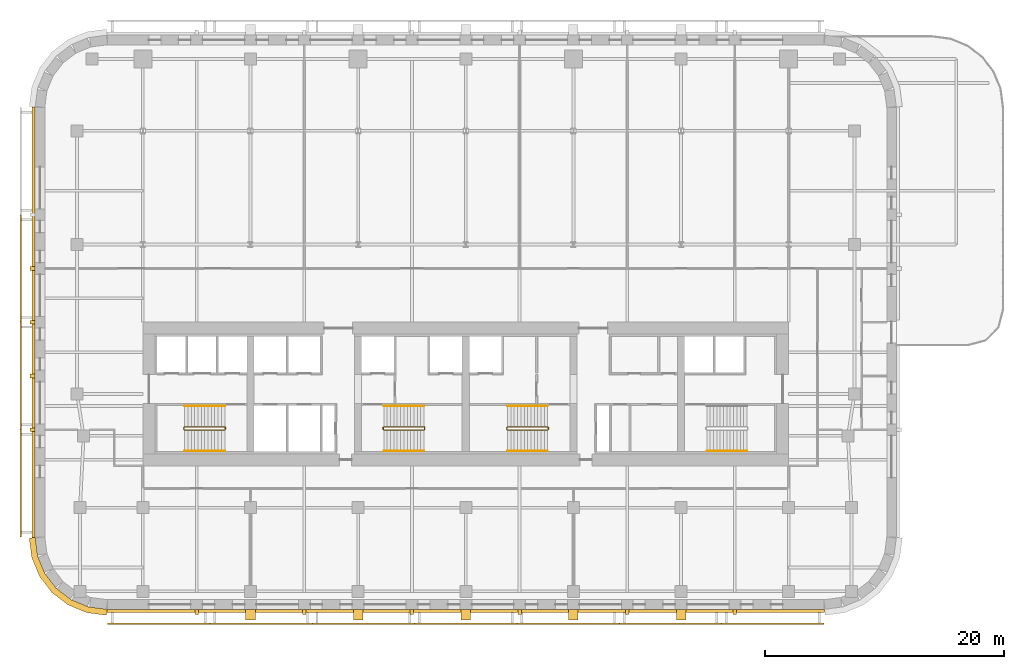
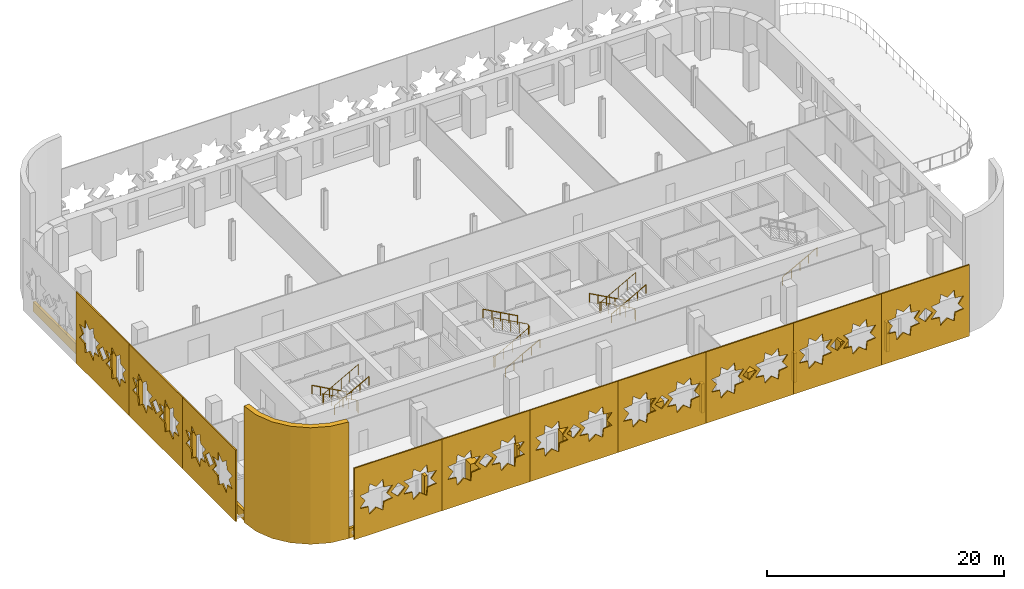
# One storey, part 9 of 11: 28 coverings, 10 railings.
"""IFC4 building model written with IfcOpenShell, lengths in metres."""

from ifc_helpers import new_model, si_unit, direction, frame, origin, origin_2d, place, context, subcontext, project, spatial, polyline, circle, outline, extrude, material, layer, layer_set, type_object, element, save


model = new_model("IFC4")

# Units and contexts
model_context = context("Model", 3, precision=1e-05, world=origin(), true_north=direction((0.0, 1.0)))
body_context = subcontext(model_context, "Body", "Model", "MODEL_VIEW")
ifc_project = project(units=[si_unit("LENGTHUNIT", "METRE"), si_unit("AREAUNIT", "SQUARE_METRE"), si_unit("VOLUMEUNIT", "CUBIC_METRE"), si_unit("PLANEANGLEUNIT", "RADIAN"), si_unit("MASSUNIT", "GRAM", prefix="KILO")], contexts=[model_context])

# Site, building, storey
site_placement = place(None, origin())
site = spatial("IfcSite", under=ifc_project, at=site_placement, CompositionType="ELEMENT")
building_placement = place(site_placement, origin())
building = spatial("IfcBuilding", under=site, at=building_placement, Name="Zellij Exchange Tower", CompositionType="ELEMENT")
storey_placement = place(building_placement, frame((0.0, 0.0, 144.5)))
storey = spatial("IfcBuildingStorey", under=building, at=storey_placement, Name="L32", CompositionType="ELEMENT", Elevation=144.5)

# Railings
ifc_material_1 = material(Name="Stainless steel", Category="steel")
railing_type_1 = type_object("IfcRailingType", Name="CORE-RG stair guard", PredefinedType="GUARDRAIL", material=ifc_material_1)
railing_1_placement = place(storey_placement, frame((-20.10009765625, -10.800048828125, 0.0)))
element("IfcRailing", 1, at=railing_1_placement, inside=storey, type_object=railing_type_1, Name="ST1 stair guard L32", PredefinedType="GUARDRAIL", context=body_context, shape_type="SweptSolid", body=[
    extrude(circle(Radius=0.02392578125, at=origin_2d()), frame((0.0, 0.0, 1.076171875), z_axis=(0.0, -1.0, 0.0), x_axis=(1.0, 0.0, 0.0)), (0.0, 0.0, 1.0), 0.14990234375),
    extrude(circle(Radius=0.02392578125, at=origin_2d()), frame((0.0, -0.14990234375, 1.076171875), z_axis=(-0.193691321961, 0.777613689637, 0.598164376644), x_axis=(-0.970351222016, -0.241699205484, 0.0)), (0.0, 0.0, 1.0), 0.257080078125),
    extrude(circle(Radius=0.02392578125, at=origin_2d()), frame((-0.0498046875, 0.050048828125, 1.22998046875), z_axis=(-0.876421534553, 0.0, 0.481544695509), x_axis=(0.0, -1.0, 0.0)), (0.0, 0.0, 1.0), 3.833984375),
    extrude(circle(Radius=0.02392578125, at=origin_2d()), frame((-3.409912109375, 0.050048828125, 3.076171875), z_axis=(-0.707106781187, -0.707106781187, 0.0), x_axis=(0.707106781187, -0.707106781187, 0.0)), (0.0, 0.0, 1.0), 0.07080078125),
    extrude(circle(Radius=0.02392578125, at=origin_2d()), frame((-3.4599609375, 0.0, 3.076171875), z_axis=(0.0, -1.0, 0.0), x_axis=(1.0, 0.0, 0.0)), (0.0, 0.0, 1.0), 0.14990234375),
    extrude(circle(Radius=0.02392578125, at=origin_2d()), frame((-3.4599609375, -0.14990234375, 3.076171875), z_axis=(0.295599637079, -0.295599637079, 0.908428152975), x_axis=(0.707106781187, 0.707106781187, 0.0)), (0.0, 0.0, 1.0), 0.16943359375),
    extrude(circle(Radius=0.02392578125, at=origin_2d()), frame((-3.409912109375, -0.199951171875, 3.22998046875), z_axis=(0.876421534553, 0.0, 0.481544695509), x_axis=(0.0, 1.0, 0.0)), (0.0, 0.0, 1.0), 3.833984375),
    extrude(circle(Radius=0.02099609375, at=origin_2d()), origin(), (0.0, 0.0, 1.0), 1.052001953125),
    extrude(circle(Radius=0.02099609375, at=origin_2d()), frame((0.0, -0.14990234375, 0.0)), (0.0, 0.0, 1.0), 1.052001953125),
    extrude(circle(Radius=0.02099609375, at=origin_2d()), frame((-0.0498046875, 0.050048828125, 0.15380859375)), (0.0, 0.0, 1.0), 1.052001953125),
    extrude(circle(Radius=0.02099609375, at=origin_2d()), frame((-0.889892578125, 0.050048828125, 0.615234375)), (0.0, 0.0, 1.0), 1.052001953125),
    extrude(circle(Radius=0.02099609375, at=origin_2d()), frame((-1.72998046875, 0.050048828125, 1.076904296875)), (0.0, 0.0, 1.0), 1.052001953125),
    extrude(circle(Radius=0.02099609375, at=origin_2d()), frame((-2.56982421875, 0.050048828125, 1.53857421875)), (0.0, 0.0, 1.0), 1.052001953125),
    extrude(circle(Radius=0.02099609375, at=origin_2d()), frame((-3.409912109375, 0.050048828125, 2.0)), (0.0, 0.0, 1.0), 1.052001953125),
    extrude(circle(Radius=0.02099609375, at=origin_2d()), frame((-3.4599609375, 0.0, 2.0)), (0.0, 0.0, 1.0), 1.052001953125),
    extrude(circle(Radius=0.02099609375, at=origin_2d()), frame((-3.4599609375, -0.14990234375, 2.0)), (0.0, 0.0, 1.0), 1.052001953125),
    extrude(circle(Radius=0.02099609375, at=origin_2d()), frame((-3.409912109375, -0.199951171875, 2.15380859375)), (0.0, 0.0, 1.0), 1.052001953125),
    extrude(circle(Radius=0.02099609375, at=origin_2d()), frame((-2.56982421875, -0.199951171875, 2.615234375)), (0.0, 0.0, 1.0), 1.052001953125),
    extrude(circle(Radius=0.02099609375, at=origin_2d()), frame((-1.72998046875, -0.199951171875, 3.076904296875)), (0.0, 0.0, 1.0), 1.052001953125),
    extrude(circle(Radius=0.02099609375, at=origin_2d()), frame((-0.889892578125, -0.199951171875, 3.53857421875)), (0.0, 0.0, 1.0), 1.052001953125),
    extrude(circle(Radius=0.02099609375, at=origin_2d()), frame((-0.0498046875, -0.199951171875, 4.0)), (0.0, 0.0, 1.0), 1.052001953125),
])
railing_2_placement = place(storey_placement, frame((-6.89990234375, -10.949951171875, 0.0)))
element("IfcRailing", 2, at=railing_2_placement, inside=storey, type_object=railing_type_1, Name="ST2 stair guard L32", PredefinedType="GUARDRAIL", context=body_context, shape_type="SweptSolid", body=[
    extrude(circle(Radius=0.02392578125, at=origin_2d()), frame((0.0, 0.0, 1.076171875), z_axis=(0.0, 1.0, 0.0), x_axis=(-1.0, 0.0, 0.0)), (0.0, 0.0, 1.0), 0.14990234375),
    extrude(circle(Radius=0.02392578125, at=origin_2d()), frame((0.0, 0.14990234375, 1.076171875), z_axis=(0.193691321961, -0.777613689637, 0.598164376644), x_axis=(0.970351222016, 0.241699205484, 0.0)), (0.0, 0.0, 1.0), 0.257080078125),
    extrude(circle(Radius=0.02392578125, at=origin_2d()), frame((0.0498046875, -0.050048828125, 1.22998046875), z_axis=(0.876421534553, 0.0, 0.481544695509), x_axis=(0.0, 1.0, 0.0)), (0.0, 0.0, 1.0), 3.833984375),
    extrude(circle(Radius=0.02392578125, at=origin_2d()), frame((3.409912109375, -0.050048828125, 3.076171875), z_axis=(0.707106781187, 0.707106781187, 0.0), x_axis=(-0.707106781187, 0.707106781187, 0.0)), (0.0, 0.0, 1.0), 0.07080078125),
    extrude(circle(Radius=0.02392578125, at=origin_2d()), frame((3.4599609375, 0.0, 3.076171875), z_axis=(0.0, 1.0, 0.0), x_axis=(-1.0, 0.0, 0.0)), (0.0, 0.0, 1.0), 0.14990234375),
    extrude(circle(Radius=0.02392578125, at=origin_2d()), frame((3.4599609375, 0.14990234375, 3.076171875), z_axis=(-0.295599637079, 0.295599637079, 0.908428152975), x_axis=(-0.707106781187, -0.707106781187, 0.0)), (0.0, 0.0, 1.0), 0.16943359375),
    extrude(circle(Radius=0.02392578125, at=origin_2d()), frame((3.409912109375, 0.199951171875, 3.22998046875), z_axis=(-0.876421534553, 0.0, 0.481544695509), x_axis=(0.0, -1.0, 0.0)), (0.0, 0.0, 1.0), 3.833984375),
    extrude(circle(Radius=0.02099609375, at=origin_2d()), origin(), (0.0, 0.0, 1.0), 1.052001953125),
    extrude(circle(Radius=0.02099609375, at=origin_2d()), frame((0.0, 0.14990234375, 0.0)), (0.0, 0.0, 1.0), 1.052001953125),
    extrude(circle(Radius=0.02099609375, at=origin_2d()), frame((0.0498046875, -0.050048828125, 0.15380859375)), (0.0, 0.0, 1.0), 1.052001953125),
    extrude(circle(Radius=0.02099609375, at=origin_2d()), frame((0.889892578125, -0.050048828125, 0.615234375)), (0.0, 0.0, 1.0), 1.052001953125),
    extrude(circle(Radius=0.02099609375, at=origin_2d()), frame((1.72998046875, -0.050048828125, 1.076904296875)), (0.0, 0.0, 1.0), 1.052001953125),
    extrude(circle(Radius=0.02099609375, at=origin_2d()), frame((2.56982421875, -0.050048828125, 1.53857421875)), (0.0, 0.0, 1.0), 1.052001953125),
    extrude(circle(Radius=0.02099609375, at=origin_2d()), frame((3.409912109375, -0.050048828125, 2.0)), (0.0, 0.0, 1.0), 1.052001953125),
    extrude(circle(Radius=0.02099609375, at=origin_2d()), frame((3.4599609375, 0.0, 2.0)), (0.0, 0.0, 1.0), 1.052001953125),
    extrude(circle(Radius=0.02099609375, at=origin_2d()), frame((3.4599609375, 0.14990234375, 2.0)), (0.0, 0.0, 1.0), 1.052001953125),
    extrude(circle(Radius=0.02099609375, at=origin_2d()), frame((3.409912109375, 0.199951171875, 2.15380859375)), (0.0, 0.0, 1.0), 1.052001953125),
    extrude(circle(Radius=0.02099609375, at=origin_2d()), frame((2.56982421875, 0.199951171875, 2.615234375)), (0.0, 0.0, 1.0), 1.052001953125),
    extrude(circle(Radius=0.02099609375, at=origin_2d()), frame((1.72998046875, 0.199951171875, 3.076904296875)), (0.0, 0.0, 1.0), 1.052001953125),
    extrude(circle(Radius=0.02099609375, at=origin_2d()), frame((0.889892578125, 0.199951171875, 3.53857421875)), (0.0, 0.0, 1.0), 1.052001953125),
    extrude(circle(Radius=0.02099609375, at=origin_2d()), frame((0.0498046875, 0.199951171875, 4.0)), (0.0, 0.0, 1.0), 1.052001953125),
])
railing_3_placement = place(storey_placement, frame((6.89990234375, -10.800048828125, 0.0)))
element("IfcRailing", 3, at=railing_3_placement, inside=storey, type_object=railing_type_1, Name="ST3 stair guard L32", PredefinedType="GUARDRAIL", context=body_context, shape_type="SweptSolid", body=[
    extrude(circle(Radius=0.02392578125, at=origin_2d()), frame((0.0, 0.0, 1.076171875), z_axis=(0.0, -1.0, 0.0), x_axis=(1.0, 0.0, 0.0)), (0.0, 0.0, 1.0), 0.14990234375),
    extrude(circle(Radius=0.02392578125, at=origin_2d()), frame((0.0, -0.14990234375, 1.076171875), z_axis=(-0.193691321961, 0.777613689637, 0.598164376644), x_axis=(-0.970351222016, -0.241699205484, 0.0)), (0.0, 0.0, 1.0), 0.257080078125),
    extrude(circle(Radius=0.02392578125, at=origin_2d()), frame((-0.0498046875, 0.050048828125, 1.22998046875), z_axis=(-0.876421534553, 0.0, 0.481544695509), x_axis=(0.0, -1.0, 0.0)), (0.0, 0.0, 1.0), 3.833984375),
    extrude(circle(Radius=0.02392578125, at=origin_2d()), frame((-3.409912109375, 0.050048828125, 3.076171875), z_axis=(-0.707106781187, -0.707106781187, 0.0), x_axis=(0.707106781187, -0.707106781187, 0.0)), (0.0, 0.0, 1.0), 0.07080078125),
    extrude(circle(Radius=0.02392578125, at=origin_2d()), frame((-3.4599609375, 0.0, 3.076171875), z_axis=(0.0, -1.0, 0.0), x_axis=(1.0, 0.0, 0.0)), (0.0, 0.0, 1.0), 0.14990234375),
    extrude(circle(Radius=0.02392578125, at=origin_2d()), frame((-3.4599609375, -0.14990234375, 3.076171875), z_axis=(0.295599637079, -0.295599637079, 0.908428152975), x_axis=(0.707106781187, 0.707106781187, 0.0)), (0.0, 0.0, 1.0), 0.16943359375),
    extrude(circle(Radius=0.02392578125, at=origin_2d()), frame((-3.409912109375, -0.199951171875, 3.22998046875), z_axis=(0.876421534553, 0.0, 0.481544695509), x_axis=(0.0, 1.0, 0.0)), (0.0, 0.0, 1.0), 3.833984375),
    extrude(circle(Radius=0.02099609375, at=origin_2d()), origin(), (0.0, 0.0, 1.0), 1.052001953125),
    extrude(circle(Radius=0.02099609375, at=origin_2d()), frame((0.0, -0.14990234375, 0.0)), (0.0, 0.0, 1.0), 1.052001953125),
    extrude(circle(Radius=0.02099609375, at=origin_2d()), frame((-0.0498046875, 0.050048828125, 0.15380859375)), (0.0, 0.0, 1.0), 1.052001953125),
    extrude(circle(Radius=0.02099609375, at=origin_2d()), frame((-0.889892578125, 0.050048828125, 0.615234375)), (0.0, 0.0, 1.0), 1.052001953125),
    extrude(circle(Radius=0.02099609375, at=origin_2d()), frame((-1.72998046875, 0.050048828125, 1.076904296875)), (0.0, 0.0, 1.0), 1.052001953125),
    extrude(circle(Radius=0.02099609375, at=origin_2d()), frame((-2.56982421875, 0.050048828125, 1.53857421875)), (0.0, 0.0, 1.0), 1.052001953125),
    extrude(circle(Radius=0.02099609375, at=origin_2d()), frame((-3.409912109375, 0.050048828125, 2.0)), (0.0, 0.0, 1.0), 1.052001953125),
    extrude(circle(Radius=0.02099609375, at=origin_2d()), frame((-3.4599609375, 0.0, 2.0)), (0.0, 0.0, 1.0), 1.052001953125),
    extrude(circle(Radius=0.02099609375, at=origin_2d()), frame((-3.4599609375, -0.14990234375, 2.0)), (0.0, 0.0, 1.0), 1.052001953125),
    extrude(circle(Radius=0.02099609375, at=origin_2d()), frame((-3.409912109375, -0.199951171875, 2.15380859375)), (0.0, 0.0, 1.0), 1.052001953125),
    extrude(circle(Radius=0.02099609375, at=origin_2d()), frame((-2.56982421875, -0.199951171875, 2.615234375)), (0.0, 0.0, 1.0), 1.052001953125),
    extrude(circle(Radius=0.02099609375, at=origin_2d()), frame((-1.72998046875, -0.199951171875, 3.076904296875)), (0.0, 0.0, 1.0), 1.052001953125),
    extrude(circle(Radius=0.02099609375, at=origin_2d()), frame((-0.889892578125, -0.199951171875, 3.53857421875)), (0.0, 0.0, 1.0), 1.052001953125),
    extrude(circle(Radius=0.02099609375, at=origin_2d()), frame((-0.0498046875, -0.199951171875, 4.0)), (0.0, 0.0, 1.0), 1.052001953125),
])
railing_type_2 = type_object("IfcRailingType", Name="CORE-RH stair handrail", PredefinedType="HANDRAIL", material=ifc_material_1)
railing_4_placement = place(storey_placement, frame((-20.14990234375, -9.0, 0.15380859375)))
element("IfcRailing", 4, at=railing_4_placement, inside=storey, type_object=railing_type_2, Name="ST1 stair handrail L32", PredefinedType="HANDRAIL", context=body_context, shape_type="SweptSolid", body=[
    extrude(circle(Radius=0.02392578125, at=origin_2d()), frame((0.0, 0.0, 0.8759765625), z_axis=(-0.876421534553, 0.0, 0.481544695509), x_axis=(0.0, -1.0, 0.0)), (0.0, 0.0, 1.0), 3.833984375),
    extrude(circle(Radius=0.02099609375, at=origin_2d()), origin(), (0.0, 0.0, 1.0), 0.851806640625),
    extrude(circle(Radius=0.02099609375, at=origin_2d()), frame((-0.840087890625, 0.0, 0.46142578125)), (0.0, 0.0, 1.0), 0.851806640625),
    extrude(circle(Radius=0.02099609375, at=origin_2d()), frame((-1.68017578125, 0.0, 0.923095703125)), (0.0, 0.0, 1.0), 0.851806640625),
    extrude(circle(Radius=0.02099609375, at=origin_2d()), frame((-2.52001953125, 0.0, 1.384765625)), (0.0, 0.0, 1.0), 0.851806640625),
    extrude(circle(Radius=0.02099609375, at=origin_2d()), frame((-3.360107421875, 0.0, 1.84619140625)), (0.0, 0.0, 1.0), 0.851806640625),
])
for number, where, name in (
    (5, (-23.510009765625, -12.75, 2.15380859375), "ST1 stair handrail L32"),
    (6, (-6.85009765625, -12.75, 0.15380859375), "ST2 stair handrail L32"),
):
    element("IfcRailing", number, at=place(storey_placement, frame(where)), inside=storey, type_object=railing_type_2, Name=name, PredefinedType="HANDRAIL", context=body_context, shape_type="SweptSolid", body=[
        extrude(circle(Radius=0.02392578125, at=origin_2d()), frame((0.0, 0.0, 0.8759765625), z_axis=(0.876421534553, 0.0, 0.481544695509), x_axis=(0.0, 1.0, 0.0)), (0.0, 0.0, 1.0), 3.833984375),
        extrude(circle(Radius=0.02099609375, at=origin_2d()), origin(), (0.0, 0.0, 1.0), 0.851806640625),
        extrude(circle(Radius=0.02099609375, at=origin_2d()), frame((0.840087890625, 0.0, 0.46142578125)), (0.0, 0.0, 1.0), 0.851806640625),
        extrude(circle(Radius=0.02099609375, at=origin_2d()), frame((1.68017578125, 0.0, 0.923095703125)), (0.0, 0.0, 1.0), 0.851806640625),
        extrude(circle(Radius=0.02099609375, at=origin_2d()), frame((2.52001953125, 0.0, 1.384765625)), (0.0, 0.0, 1.0), 0.851806640625),
        extrude(circle(Radius=0.02099609375, at=origin_2d()), frame((3.360107421875, 0.0, 1.84619140625)), (0.0, 0.0, 1.0), 0.851806640625),
    ])
for number, where, name in (
    (7, (-3.489990234375, -9.0, 2.15380859375), "ST2 stair handrail L32"),
    (8, (6.85009765625, -9.0, 0.15380859375), "ST3 stair handrail L32"),
):
    element("IfcRailing", number, at=place(storey_placement, frame(where)), inside=storey, type_object=railing_type_2, Name=name, PredefinedType="HANDRAIL", context=body_context, shape_type="SweptSolid", body=[
        extrude(circle(Radius=0.02392578125, at=origin_2d()), frame((0.0, 0.0, 0.8759765625), z_axis=(-0.876421534553, 0.0, 0.481544695509), x_axis=(0.0, -1.0, 0.0)), (0.0, 0.0, 1.0), 3.833984375),
        extrude(circle(Radius=0.02099609375, at=origin_2d()), origin(), (0.0, 0.0, 1.0), 0.851806640625),
        extrude(circle(Radius=0.02099609375, at=origin_2d()), frame((-0.840087890625, 0.0, 0.46142578125)), (0.0, 0.0, 1.0), 0.851806640625),
        extrude(circle(Radius=0.02099609375, at=origin_2d()), frame((-1.68017578125, 0.0, 0.923095703125)), (0.0, 0.0, 1.0), 0.851806640625),
        extrude(circle(Radius=0.02099609375, at=origin_2d()), frame((-2.52001953125, 0.0, 1.384765625)), (0.0, 0.0, 1.0), 0.851806640625),
        extrude(circle(Radius=0.02099609375, at=origin_2d()), frame((-3.360107421875, 0.0, 1.84619140625)), (0.0, 0.0, 1.0), 0.851806640625),
    ])
for number, where, name in (
    (9, (3.489990234375, -12.75, 2.15380859375), "ST3 stair handrail L32"),
    (10, (20.14990234375, -12.75, 0.15380859375), "ST4 stair handrail L32"),
):
    element("IfcRailing", number, at=place(storey_placement, frame(where)), inside=storey, type_object=railing_type_2, Name=name, PredefinedType="HANDRAIL", context=body_context, shape_type="SweptSolid", body=[
        extrude(circle(Radius=0.02392578125, at=origin_2d()), frame((0.0, 0.0, 0.8759765625), z_axis=(0.876421534553, 0.0, 0.481544695509), x_axis=(0.0, 1.0, 0.0)), (0.0, 0.0, 1.0), 3.833984375),
        extrude(circle(Radius=0.02099609375, at=origin_2d()), origin(), (0.0, 0.0, 1.0), 0.851806640625),
        extrude(circle(Radius=0.02099609375, at=origin_2d()), frame((0.840087890625, 0.0, 0.46142578125)), (0.0, 0.0, 1.0), 0.851806640625),
        extrude(circle(Radius=0.02099609375, at=origin_2d()), frame((1.68017578125, 0.0, 0.923095703125)), (0.0, 0.0, 1.0), 0.851806640625),
        extrude(circle(Radius=0.02099609375, at=origin_2d()), frame((2.52001953125, 0.0, 1.384765625)), (0.0, 0.0, 1.0), 0.851806640625),
        extrude(circle(Radius=0.02099609375, at=origin_2d()), frame((3.360107421875, 0.0, 1.84619140625)), (0.0, 0.0, 1.0), 0.851806640625),
    ])

# Coverings
ifc_material_2 = material(Name="Limestone cladding", Category="masonry")
ifc_layer_1 = layer(ifc_material_2, 0.5)
ifc_layer_set_1 = layer_set([ifc_layer_1], Name="Limestone cladding")
covering_type_1 = type_object("IfcCoveringType", Name="ENV-CV12 Stone corner pier 500", PredefinedType="CLADDING", material=ifc_layer_set_1)
covering_1_placement = place(storey_placement, origin())
element("IfcCovering", 11, at=covering_1_placement, inside=storey, type_object=covering_type_1, Name="Stone corner pier", PredefinedType="CLADDING", context=body_context, shape_type="SweptSolid", body=[
    extrude(outline(polyline([(-36.0, -20.0), (-35.795654296875, -21.552978515625), (-35.1962890625, -23.0), (-34.24267578125, -24.24267578125), (-33.0, -25.1962890625), (-31.552978515625, -25.795654296875), (-30.0, -26.0), (-30.03271484375, -26.5), (-31.683349609375, -26.28271484375), (-33.252197265625, -25.6328125), (-34.59912109375, -24.59912109375), (-35.6328125, -23.252197265625), (-36.28271484375, -21.683349609375), (-36.5, -20.03271484375), (-36.0, -20.0)])), origin(), (0.0, 0.0, 1.0), 12.0),
])
covering_type_2 = type_object("IfcCoveringType", Name="ENV-CV5 Stone pier 800x900", PredefinedType="CLADDING", material=ifc_material_2)
covering_2_placement = place(storey_placement, frame((0.0, 0.0, 0.800048828125)))
element("IfcCovering", 12, at=covering_2_placement, inside=storey, type_object=covering_type_2, Name="Stone pier", PredefinedType="CLADDING", context=body_context, shape_type="SweptSolid", body=[
    extrude(outline(polyline([(-18.39990234375, -26.0), (-17.60009765625, -26.0), (-17.60009765625, -26.89990234375), (-18.39990234375, -26.89990234375), (-18.39990234375, -26.0)])), origin(), (0.0, 0.0, 1.0), 3.0),
])
covering_3_placement = place(storey_placement, frame((0.0, 0.0, 0.800048828125)))
element("IfcCovering", 13, at=covering_3_placement, inside=storey, type_object=covering_type_2, Name="Stone pier", PredefinedType="CLADDING", context=body_context, shape_type="SweptSolid", body=[
    extrude(outline(polyline([(-9.39990234375, -26.0), (-8.60009765625, -26.0), (-8.60009765625, -26.89990234375), (-9.39990234375, -26.89990234375), (-9.39990234375, -26.0)])), origin(), (0.0, 0.0, 1.0), 3.0),
])
covering_4_placement = place(storey_placement, frame((0.0, 0.0, 0.800048828125)))
element("IfcCovering", 14, at=covering_4_placement, inside=storey, type_object=covering_type_2, Name="Stone pier", PredefinedType="CLADDING", context=body_context, shape_type="SweptSolid", body=[
    extrude(outline(polyline([(-0.39990234375, -26.0), (0.39990234375, -26.0), (0.39990234375, -26.89990234375), (-0.39990234375, -26.89990234375), (-0.39990234375, -26.0)])), origin(), (0.0, 0.0, 1.0), 3.0),
])
covering_5_placement = place(storey_placement, frame((0.0, 0.0, 0.800048828125)))
element("IfcCovering", 15, at=covering_5_placement, inside=storey, type_object=covering_type_2, Name="Stone pier", PredefinedType="CLADDING", context=body_context, shape_type="SweptSolid", body=[
    extrude(outline(polyline([(8.60009765625, -26.0), (9.39990234375, -26.0), (9.39990234375, -26.89990234375), (8.60009765625, -26.89990234375), (8.60009765625, -26.0)])), origin(), (0.0, 0.0, 1.0), 3.0),
])
covering_6_placement = place(storey_placement, frame((0.0, 0.0, 0.800048828125)))
element("IfcCovering", 16, at=covering_6_placement, inside=storey, type_object=covering_type_2, Name="Stone pier", PredefinedType="CLADDING", context=body_context, shape_type="SweptSolid", body=[
    extrude(outline(polyline([(17.60009765625, -26.0), (18.39990234375, -26.0), (18.39990234375, -26.89990234375), (17.60009765625, -26.89990234375), (17.60009765625, -26.0)])), origin(), (0.0, 0.0, 1.0), 3.0),
])
covering_type_3 = type_object("IfcCoveringType", Name="ENV-CV7 Stone pier 300x450", PredefinedType="CLADDING", material=ifc_material_2)
covering_7_placement = place(storey_placement, frame((0.0, 0.0, 0.800048828125)))
element("IfcCovering", 17, at=covering_7_placement, inside=storey, type_object=covering_type_3, Name="Stone pier", PredefinedType="CLADDING", context=body_context, shape_type="SweptSolid", body=[
    extrude(outline(polyline([(-22.64990234375, -26.0), (-22.35009765625, -26.0), (-22.35009765625, -26.449951171875), (-22.64990234375, -26.449951171875), (-22.64990234375, -26.0)])), origin(), (0.0, 0.0, 1.0), 3.0),
])
covering_8_placement = place(storey_placement, frame((0.0, 0.0, 0.800048828125)))
element("IfcCovering", 18, at=covering_8_placement, inside=storey, type_object=covering_type_3, Name="Stone pier", PredefinedType="CLADDING", context=body_context, shape_type="SweptSolid", body=[
    extrude(outline(polyline([(-13.64990234375, -26.0), (-13.35009765625, -26.0), (-13.35009765625, -26.449951171875), (-13.64990234375, -26.449951171875), (-13.64990234375, -26.0)])), origin(), (0.0, 0.0, 1.0), 3.0),
])
covering_9_placement = place(storey_placement, frame((0.0, 0.0, 0.800048828125)))
element("IfcCovering", 19, at=covering_9_placement, inside=storey, type_object=covering_type_3, Name="Stone pier", PredefinedType="CLADDING", context=body_context, shape_type="SweptSolid", body=[
    extrude(outline(polyline([(-4.64990234375, -26.0), (-4.35009765625, -26.0), (-4.35009765625, -26.449951171875), (-4.64990234375, -26.449951171875), (-4.64990234375, -26.0)])), origin(), (0.0, 0.0, 1.0), 3.0),
])
covering_10_placement = place(storey_placement, frame((0.0, 0.0, 0.800048828125)))
element("IfcCovering", 20, at=covering_10_placement, inside=storey, type_object=covering_type_3, Name="Stone pier", PredefinedType="CLADDING", context=body_context, shape_type="SweptSolid", body=[
    extrude(outline(polyline([(4.35009765625, -26.0), (4.64990234375, -26.0), (4.64990234375, -26.449951171875), (4.35009765625, -26.449951171875), (4.35009765625, -26.0)])), origin(), (0.0, 0.0, 1.0), 3.0),
])
covering_11_placement = place(storey_placement, frame((0.0, 0.0, 0.800048828125)))
element("IfcCovering", 21, at=covering_11_placement, inside=storey, type_object=covering_type_3, Name="Stone pier", PredefinedType="CLADDING", context=body_context, shape_type="SweptSolid", body=[
    extrude(outline(polyline([(13.35009765625, -26.0), (13.64990234375, -26.0), (13.64990234375, -26.449951171875), (13.35009765625, -26.449951171875), (13.35009765625, -26.0)])), origin(), (0.0, 0.0, 1.0), 3.0),
])
covering_12_placement = place(storey_placement, frame((0.0, 0.0, 0.800048828125)))
element("IfcCovering", 22, at=covering_12_placement, inside=storey, type_object=covering_type_3, Name="Stone pier", PredefinedType="CLADDING", context=body_context, shape_type="SweptSolid", body=[
    extrude(outline(polyline([(22.35009765625, -26.0), (22.64990234375, -26.0), (22.64990234375, -26.449951171875), (22.35009765625, -26.449951171875), (22.35009765625, -26.0)])), origin(), (0.0, 0.0, 1.0), 3.0),
])
covering_13_placement = place(storey_placement, frame((0.0, 0.0, 0.800048828125)))
element("IfcCovering", 23, at=covering_13_placement, inside=storey, type_object=covering_type_3, Name="Stone pier", PredefinedType="CLADDING", context=body_context, shape_type="SweptSolid", body=[
    extrude(outline(polyline([(-36.0, 2.6435546875), (-36.0, 2.343505859375), (-36.449951171875, 2.343505859375), (-36.449951171875, 2.6435546875), (-36.0, 2.6435546875)])), origin(), (0.0, 0.0, 1.0), 3.0),
])
covering_14_placement = place(storey_placement, frame((0.0, 0.0, 0.800048828125)))
element("IfcCovering", 24, at=covering_14_placement, inside=storey, type_object=covering_type_3, Name="Stone pier", PredefinedType="CLADDING", context=body_context, shape_type="SweptSolid", body=[
    extrude(outline(polyline([(-36.0, -1.85009765625), (-36.0, -2.14990234375), (-36.449951171875, -2.14990234375), (-36.449951171875, -1.85009765625), (-36.0, -1.85009765625)])), origin(), (0.0, 0.0, 1.0), 3.0),
])
covering_15_placement = place(storey_placement, frame((0.0, 0.0, 0.800048828125)))
element("IfcCovering", 25, at=covering_15_placement, inside=storey, type_object=covering_type_3, Name="Stone pier", PredefinedType="CLADDING", context=body_context, shape_type="SweptSolid", body=[
    extrude(outline(polyline([(-36.0, -6.343505859375), (-36.0, -6.643310546875), (-36.449951171875, -6.643310546875), (-36.449951171875, -6.343505859375), (-36.0, -6.343505859375)])), origin(), (0.0, 0.0, 1.0), 3.0),
])
covering_16_placement = place(storey_placement, frame((0.0, 0.0, 0.800048828125)))
element("IfcCovering", 26, at=covering_16_placement, inside=storey, type_object=covering_type_3, Name="Stone pier", PredefinedType="CLADDING", context=body_context, shape_type="SweptSolid", body=[
    extrude(outline(polyline([(-36.0, -10.8369140625), (-36.0, -11.136962890625), (-36.449951171875, -11.136962890625), (-36.449951171875, -10.8369140625), (-36.0, -10.8369140625)])), origin(), (0.0, 0.0, 1.0), 3.0),
])
ifc_layer_2 = layer(ifc_material_2, 0.25)
ifc_layer_set_2 = layer_set([ifc_layer_2], Name="Limestone cladding")
covering_type_4 = type_object("IfcCoveringType", Name="ENV-CV8 Stone spandrel band 250", PredefinedType="CLADDING", material=ifc_layer_set_2)
covering_17_placement = place(storey_placement, frame((0.0, 0.0, -0.199951171875)))
element("IfcCovering", 27, at=covering_17_placement, inside=storey, type_object=covering_type_4, Name="Stone spandrel band", PredefinedType="CLADDING", context=body_context, shape_type="SweptSolid", body=[
    extrude(outline(polyline([(-29.973876953125, -26.0), (29.973876953125, -26.0), (29.990234375, -26.25), (-29.990234375, -26.25), (-29.973876953125, -26.0)])), origin(), (0.0, 0.0, 1.0), 1.0),
])
covering_18_placement = place(storey_placement, frame((0.0, 0.0, -0.199951171875)))
element("IfcCovering", 28, at=covering_18_placement, inside=storey, type_object=covering_type_4, Name="Stone spandrel band", PredefinedType="CLADDING", context=body_context, shape_type="SweptSolid", body=[
    extrude(outline(polyline([(-36.0, 15.973876953125), (-36.0, -19.973876953125), (-36.25, -19.990234375), (-36.25, 15.990234375), (-36.0, 15.973876953125)])), origin(), (0.0, 0.0, 1.0), 1.0),
])
ifc_material_3 = material(Name="Limestone screen", Category="masonry")
ifc_layer_3 = layer(ifc_material_3, 0.1201171875)
ifc_layer_set_3 = layer_set([ifc_layer_3], Name="Limestone screen")
covering_type_5 = type_object("IfcCoveringType", Name="ENV-SC1 Pierced stone screen 120", PredefinedType="USERDEFINED", material=ifc_layer_set_3)
for number, where, z_axis, x_axis, name in (
    (29, (-37.2099609375, 6.973876953125, 0.300048828125), (0.0, 0.0, 1.0), (0.0, -1.0, 0.0), "Pierced stone screen"),
    (30, (-37.2099609375, -2.0, 0.300048828125), (0.0, 0.0, 1.0), (0.0, -1.0, 0.0), "Pierced stone screen"),
    (31, (-37.2099609375, -10.973876953125, 0.300048828125), (0.0, 0.0, 1.0), (0.0, -1.0, 0.0), "Pierced stone screen"),
):
    element("IfcCovering", number, at=place(storey_placement, frame(where, z_axis=z_axis, x_axis=x_axis)), inside=storey, type_object=covering_type_5, Name=name, ObjectType="SCREEN", PredefinedType="USERDEFINED", context=body_context, shape_type="SweptSolid", body=[
        extrude(outline(polyline([(0.0, 0.0), (8.973876953125, 0.0), (8.973876953125, 7.35009765625), (0.0, 7.35009765625), (0.0, 0.0)]), holes=[polyline([(3.901611328125, 4.36181640625), (3.0302734375, 4.4619140625), (2.930419921875, 5.3330078125), (2.243408203125, 4.787841796875), (1.556640625, 5.3330078125), (1.45654296875, 4.4619140625), (0.585205078125, 4.36181640625), (1.130615234375, 3.675048828125), (0.585205078125, 2.98828125), (1.45654296875, 2.88818359375), (1.556640625, 2.016845703125), (2.243408203125, 2.562255859375), (2.930419921875, 2.016845703125), (3.0302734375, 2.88818359375), (3.901611328125, 2.98828125), (3.356201171875, 3.675048828125), (3.901611328125, 4.36181640625)]), polyline([(8.388427734375, 4.36181640625), (7.51708984375, 4.4619140625), (7.417236328125, 5.3330078125), (6.730224609375, 4.787841796875), (6.04345703125, 5.3330078125), (5.943603515625, 4.4619140625), (5.072265625, 4.36181640625), (5.61767578125, 3.675048828125), (5.072265625, 2.98828125), (5.943603515625, 2.88818359375), (6.04345703125, 2.016845703125), (6.730224609375, 2.562255859375), (7.417236328125, 2.016845703125), (7.51708984375, 2.88818359375), (8.388427734375, 2.98828125), (7.843017578125, 3.675048828125), (8.388427734375, 4.36181640625)]), polyline([(5.204833984375, 3.675048828125), (4.48681640625, 4.392822265625), (3.76904296875, 3.675048828125), (4.48681640625, 2.95703125), (5.204833984375, 3.675048828125)])]), frame((0.0, 0.06005859375, 0.0), z_axis=(0.0, -1.0, 0.0), x_axis=(1.0, 0.0, 0.0)), (0.0, 0.0, 1.0), 0.1201171875),
    ])
for number, where, z_axis, x_axis, name in (
    (32, (-29.947509765625, -27.2099609375, 0.300048828125), (0.0, 0.0, 1.0), (1.0, 0.0, 0.0), "Pierced stone screen"),
    (33, (-21.39111328125, -27.2099609375, 0.300048828125), (0.0, 0.0, 1.0), (1.0, 0.0, 0.0), "Pierced stone screen"),
    (34, (-12.834716796875, -27.2099609375, 0.300048828125), (0.0, 0.0, 1.0), (1.0, 0.0, 0.0), "Pierced stone screen"),
    (35, (-4.2783203125, -27.2099609375, 0.300048828125), (0.0, 0.0, 1.0), (1.0, 0.0, 0.0), "Pierced stone screen"),
    (36, (4.2783203125, -27.2099609375, 0.300048828125), (0.0, 0.0, 1.0), (1.0, 0.0, 0.0), "Pierced stone screen"),
    (37, (12.834716796875, -27.2099609375, 0.300048828125), (0.0, 0.0, 1.0), (1.0, 0.0, 0.0), "Pierced stone screen"),
    (38, (21.39111328125, -27.2099609375, 0.300048828125), (0.0, 0.0, 1.0), (1.0, 0.0, 0.0), "Pierced stone screen"),
):
    element("IfcCovering", number, at=place(storey_placement, frame(where, z_axis=z_axis, x_axis=x_axis)), inside=storey, type_object=covering_type_5, Name=name, ObjectType="SCREEN", PredefinedType="USERDEFINED", context=body_context, shape_type="SweptSolid", body=[
        extrude(outline(polyline([(0.0, 0.0), (8.556396484375, 0.0), (8.556396484375, 7.35009765625), (0.0, 7.35009765625), (0.0, 0.0)]), holes=[polyline([(3.72021484375, 4.329833984375), (2.889404296875, 4.42529296875), (2.7939453125, 5.256103515625), (2.13916015625, 4.736083984375), (1.484130859375, 5.256103515625), (1.388916015625, 4.42529296875), (0.55810546875, 4.329833984375), (1.078125, 3.675048828125), (0.55810546875, 3.02001953125), (1.388916015625, 2.9248046875), (1.484130859375, 2.093994140625), (2.13916015625, 2.614013671875), (2.7939453125, 2.093994140625), (2.889404296875, 2.9248046875), (3.72021484375, 3.02001953125), (3.2001953125, 3.675048828125), (3.72021484375, 4.329833984375)]), polyline([(7.998291015625, 4.329833984375), (7.16748046875, 4.42529296875), (7.072265625, 5.256103515625), (6.417236328125, 4.736083984375), (5.762451171875, 5.256103515625), (5.6669921875, 4.42529296875), (4.836181640625, 4.329833984375), (5.356201171875, 3.675048828125), (4.836181640625, 3.02001953125), (5.6669921875, 2.9248046875), (5.762451171875, 2.093994140625), (6.417236328125, 2.614013671875), (7.072265625, 2.093994140625), (7.16748046875, 2.9248046875), (7.998291015625, 3.02001953125), (7.478271484375, 3.675048828125), (7.998291015625, 4.329833984375)]), polyline([(4.962646484375, 3.675048828125), (4.2783203125, 4.359619140625), (3.59375, 3.675048828125), (4.2783203125, 2.990478515625), (4.962646484375, 3.675048828125)])]), frame((0.0, 0.06005859375, 0.0), z_axis=(0.0, -1.0, 0.0), x_axis=(1.0, 0.0, 0.0)), (0.0, 0.0, 1.0), 0.1201171875),
    ])

save(model, "model.ifc")
